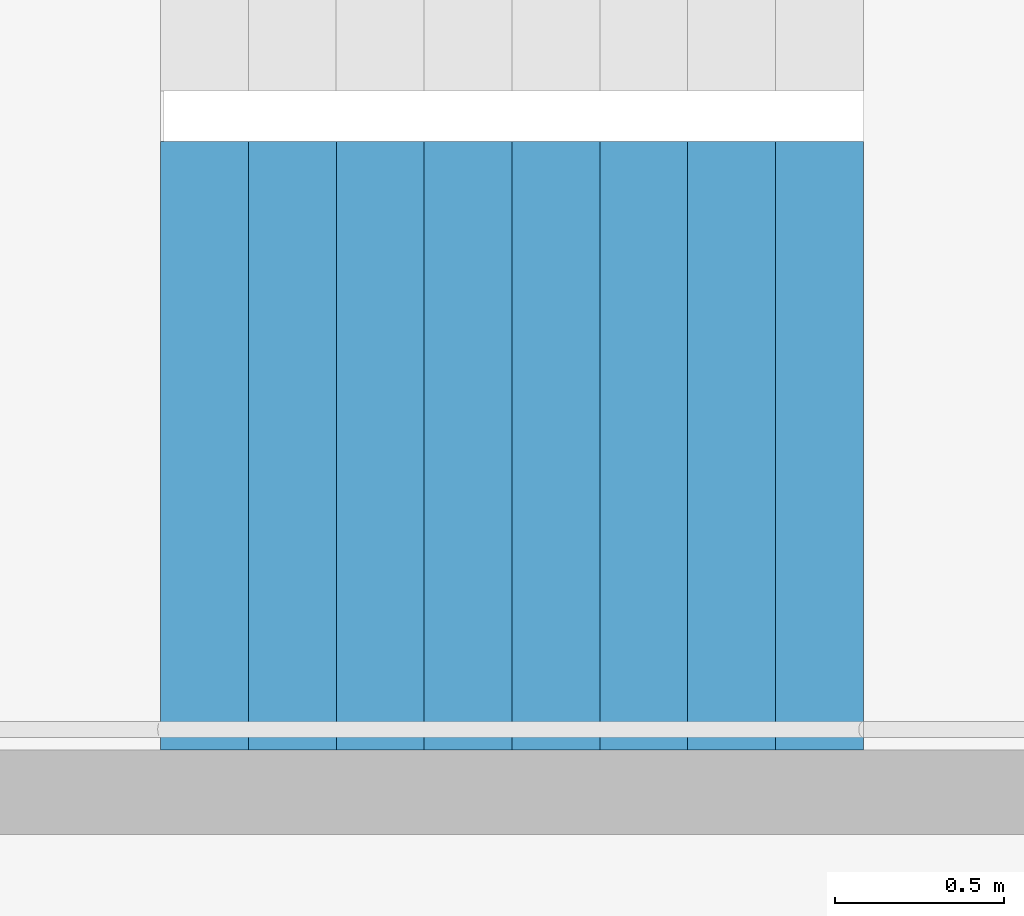
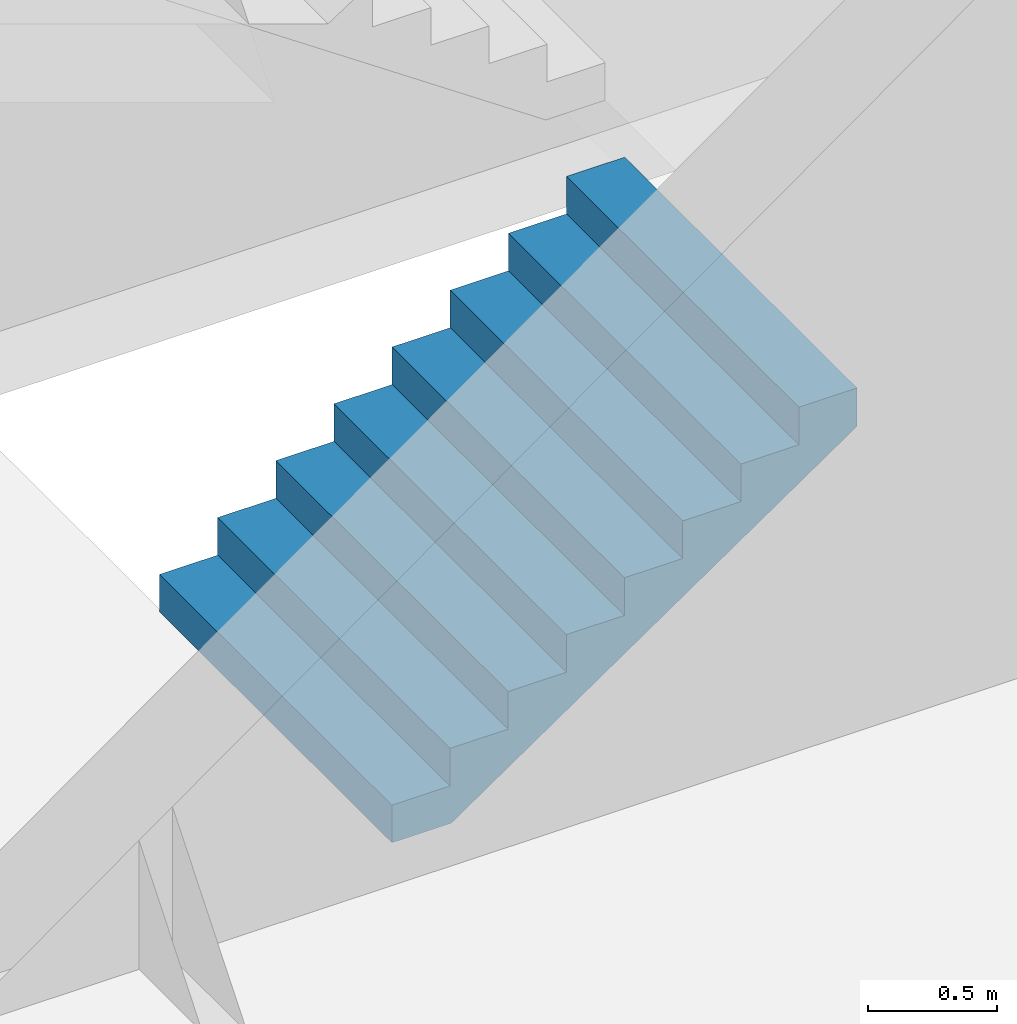
# One storey, part 20 of 42: 1 stair flight, 1 element without a shape of its own.
"""IFC4 building model written with IfcOpenShell, lengths in metres."""

from ifc_helpers import new_model, si_unit, direction, frame, origin, place, context, subcontext, project, spatial, triangles, material, type_object, element, aggregate, save


model = new_model("IFC4")

# Units and contexts
model_context = context("Model", 3, precision=1e-05, world=origin(), true_north=direction((0.0, 1.0)))
body_context = subcontext(model_context, "Body", "Model", "MODEL_VIEW")
ifc_project = project(units=[si_unit("LENGTHUNIT", "METRE"), si_unit("AREAUNIT", "SQUARE_METRE"), si_unit("VOLUMEUNIT", "CUBIC_METRE"), si_unit("PLANEANGLEUNIT", "RADIAN"), si_unit("MASSUNIT", "GRAM", prefix="KILO")], contexts=[model_context])

# Site, building, storey
site_placement = place(None, origin())
site = spatial("IfcSite", under=ifc_project, at=site_placement, CompositionType="ELEMENT")
building_placement = place(site_placement, origin())
building = spatial("IfcBuilding", under=site, at=building_placement, Name="Hakoniwa Tower and Hamabe Station Hall", CompositionType="ELEMENT")
storey_placement = place(building_placement, frame((0.0, 0.0, 232.60009765625)))
storey = spatial("IfcBuildingStorey", under=building, at=storey_placement, Name="L66", CompositionType="ELEMENT", Elevation=232.60009765625)

# Stair, stair flight
ifc_material_1 = material(Name="Concrete C40", Category="concrete")
stair_type = type_object("IfcStairType", Name="ESCAPE STAIR 1800", PredefinedType="HALF_TURN_STAIR", material=ifc_material_1)
stair_placement = place(storey_placement, origin())
stair = element("IfcStair", 1, at=stair_placement, inside=storey, type_object=stair_type, Name="Escape stair ST-1 L66", PredefinedType="HALF_TURN_STAIR")
ifc_material_2 = material(Name="Concrete C40", Category="concrete")
stair_flight_type = type_object("IfcStairFlightType", Name="STAIR FLIGHT 1800", PredefinedType="STRAIGHT", material=ifc_material_2)
stair_flight_placement = place(storey_placement, frame((-24.39990234375, 4.64990234375, 0.0), z_axis=(0.0, 0.0, 1.0), x_axis=(1.0, 0.0, 0.0)))
stair_flight = element("IfcStairFlight", 2, at=stair_flight_placement, type_object=stair_flight_type, Name="ST-1 flight 1", NumberOfRisers=9, NumberOfTreads=8, PredefinedType="STRAIGHT", RiserHeight=0.177777778, TreadLength=0.26, context=body_context, shape_type="Tessellation", body=[
    triangles([(0.0, 0.89990234375, 0.0), (0.260009765625, 0.89990234375, 0.0), (0.265625, 0.89990234375, 0.0), (0.52001953125, 0.89990234375, 0.174072265625), (0.780029296875, 0.89990234375, 0.351806640625), (1.0400390625, 0.89990234375, 0.529541015625), (1.300048828125, 0.89990234375, 0.707275390625), (1.56005859375, 0.89990234375, 0.885009765625), (1.820068359375, 0.89990234375, 1.062744140625), (2.080078125, 0.89990234375, 1.24072265625), (2.080078125, 0.89990234375, 1.422119140625), (1.820068359375, 0.89990234375, 1.422119140625), (1.820068359375, 0.89990234375, 1.244384765625), (1.56005859375, 0.89990234375, 1.244384765625), (1.56005859375, 0.89990234375, 1.066650390625), (1.300048828125, 0.89990234375, 1.066650390625), (1.300048828125, 0.89990234375, 0.888916015625), (1.0400390625, 0.89990234375, 0.888916015625), (1.0400390625, 0.89990234375, 0.711181640625), (0.780029296875, 0.89990234375, 0.711181640625), (0.780029296875, 0.89990234375, 0.533447265625), (0.52001953125, 0.89990234375, 0.533447265625), (0.52001953125, 0.89990234375, 0.35546875), (0.265625, 0.89990234375, 0.35546875), (0.260009765625, 0.89990234375, 0.35546875), (0.260009765625, 0.89990234375, 0.177734375), (0.0, 0.89990234375, 0.177734375), (0.0, 0.06005859375, 0.0), (0.260009765625, 0.06005859375, 0.0), (0.265625, 0.06005859375, 0.0), (0.52001953125, 0.06005859375, 0.174072265625), (0.780029296875, 0.06005859375, 0.351806640625), (1.0400390625, 0.06005859375, 0.529541015625), (1.300048828125, 0.06005859375, 0.707275390625), (1.56005859375, 0.06005859375, 0.885009765625), (1.820068359375, 0.06005859375, 1.062744140625), (2.080078125, 0.06005859375, 1.24072265625), (2.080078125, 0.06005859375, 1.422119140625), (1.820068359375, 0.06005859375, 1.422119140625), (1.820068359375, 0.06005859375, 1.244384765625), (1.56005859375, 0.06005859375, 1.244384765625), (1.56005859375, 0.06005859375, 1.066650390625), (1.300048828125, 0.06005859375, 1.066650390625), (1.300048828125, 0.06005859375, 0.888916015625), (1.0400390625, 0.06005859375, 0.888916015625), (1.0400390625, 0.06005859375, 0.711181640625), (0.780029296875, 0.06005859375, 0.711181640625), (0.780029296875, 0.06005859375, 0.533447265625), (0.52001953125, 0.06005859375, 0.533447265625), (0.52001953125, 0.06005859375, 0.35546875), (0.265625, 0.06005859375, 0.35546875), (0.260009765625, 0.06005859375, 0.35546875), (0.260009765625, 0.06005859375, 0.177734375), (0.0, 0.06005859375, 0.177734375), (0.0, 0.04296875, 0.0), (0.260009765625, 0.04296875, 0.0), (0.265625, 0.04296875, 0.0), (0.52001953125, 0.04296875, 0.174072265625), (0.780029296875, 0.04296875, 0.351806640625), (1.0400390625, 0.04296875, 0.529541015625), (1.300048828125, 0.04296875, 0.707275390625), (1.56005859375, 0.04296875, 0.885009765625), (1.820068359375, 0.04296875, 1.062744140625), (2.080078125, 0.04296875, 1.24072265625), (2.080078125, 0.04296875, 1.422119140625), (1.820068359375, 0.04296875, 1.422119140625), (1.820068359375, 0.04296875, 1.244384765625), (1.56005859375, 0.04296875, 1.244384765625), (1.56005859375, 0.04296875, 1.066650390625), (1.300048828125, 0.04296875, 1.066650390625), (1.300048828125, 0.04296875, 0.888916015625), (1.0400390625, 0.04296875, 0.888916015625), (1.0400390625, 0.04296875, 0.711181640625), (0.780029296875, 0.04296875, 0.711181640625), (0.780029296875, 0.04296875, 0.533447265625), (0.52001953125, 0.04296875, 0.533447265625), (0.52001953125, 0.04296875, 0.35546875), (0.265625, 0.04296875, 0.35546875), (0.260009765625, 0.04296875, 0.35546875), (0.260009765625, 0.04296875, 0.177734375), (0.0, 0.04296875, 0.177734375), (0.0, 0.025634765625, 0.0), (0.260009765625, 0.025634765625, 0.0), (0.265625, 0.025634765625, 0.0), (0.52001953125, 0.025634765625, 0.174072265625), (0.780029296875, 0.025634765625, 0.351806640625), (1.0400390625, 0.025634765625, 0.529541015625), (1.300048828125, 0.025634765625, 0.707275390625), (1.56005859375, 0.025634765625, 0.885009765625), (1.820068359375, 0.025634765625, 1.062744140625), (2.080078125, 0.025634765625, 1.24072265625), (2.080078125, 0.025634765625, 1.422119140625), (1.820068359375, 0.025634765625, 1.422119140625), (1.820068359375, 0.025634765625, 1.244384765625), (1.56005859375, 0.025634765625, 1.244384765625), (1.56005859375, 0.025634765625, 1.066650390625), (1.300048828125, 0.025634765625, 1.066650390625), (1.300048828125, 0.025634765625, 0.888916015625), (1.0400390625, 0.025634765625, 0.888916015625), (1.0400390625, 0.025634765625, 0.711181640625), (0.780029296875, 0.025634765625, 0.711181640625), (0.780029296875, 0.025634765625, 0.533447265625), (0.52001953125, 0.025634765625, 0.533447265625), (0.52001953125, 0.025634765625, 0.35546875), (0.265625, 0.025634765625, 0.35546875), (0.260009765625, 0.025634765625, 0.35546875), (0.260009765625, 0.025634765625, 0.177734375), (0.0, 0.025634765625, 0.177734375), (0.0, 0.008544921875, 0.0), (0.260009765625, 0.008544921875, 0.0), (0.265625, 0.008544921875, 0.0), (0.52001953125, 0.008544921875, 0.174072265625), (0.780029296875, 0.008544921875, 0.351806640625), (1.0400390625, 0.008544921875, 0.529541015625), (1.300048828125, 0.008544921875, 0.707275390625), (1.56005859375, 0.008544921875, 0.885009765625), (1.820068359375, 0.008544921875, 1.062744140625), (2.080078125, 0.008544921875, 1.24072265625), (2.080078125, 0.008544921875, 1.422119140625), (1.820068359375, 0.008544921875, 1.422119140625), (1.820068359375, 0.008544921875, 1.244384765625), (1.56005859375, 0.008544921875, 1.244384765625), (1.56005859375, 0.008544921875, 1.066650390625), (1.300048828125, 0.008544921875, 1.066650390625), (1.300048828125, 0.008544921875, 0.888916015625), (1.0400390625, 0.008544921875, 0.888916015625), (1.0400390625, 0.008544921875, 0.711181640625), (0.780029296875, 0.008544921875, 0.711181640625), (0.780029296875, 0.008544921875, 0.533447265625), (0.52001953125, 0.008544921875, 0.533447265625), (0.52001953125, 0.008544921875, 0.35546875), (0.265625, 0.008544921875, 0.35546875), (0.260009765625, 0.008544921875, 0.35546875), (0.260009765625, 0.008544921875, 0.177734375), (0.0, 0.008544921875, 0.177734375), (0.0, -0.008544921875, 0.0), (0.260009765625, -0.008544921875, 0.0), (0.265625, -0.008544921875, 0.0), (0.52001953125, -0.008544921875, 0.174072265625), (0.780029296875, -0.008544921875, 0.351806640625), (1.0400390625, -0.008544921875, 0.529541015625), (1.300048828125, -0.008544921875, 0.707275390625), (1.56005859375, -0.008544921875, 0.885009765625), (1.820068359375, -0.008544921875, 1.062744140625), (2.080078125, -0.008544921875, 1.24072265625), (2.080078125, -0.008544921875, 1.422119140625), (1.820068359375, -0.008544921875, 1.422119140625), (1.820068359375, -0.008544921875, 1.244384765625), (1.56005859375, -0.008544921875, 1.244384765625), (1.56005859375, -0.008544921875, 1.066650390625), (1.300048828125, -0.008544921875, 1.066650390625), (1.300048828125, -0.008544921875, 0.888916015625), (1.0400390625, -0.008544921875, 0.888916015625), (1.0400390625, -0.008544921875, 0.711181640625), (0.780029296875, -0.008544921875, 0.711181640625), (0.780029296875, -0.008544921875, 0.533447265625), (0.52001953125, -0.008544921875, 0.533447265625), (0.52001953125, -0.008544921875, 0.35546875), (0.265625, -0.008544921875, 0.35546875), (0.260009765625, -0.008544921875, 0.35546875), (0.260009765625, -0.008544921875, 0.177734375), (0.0, -0.008544921875, 0.177734375), (0.0, -0.025634765625, 0.0), (0.260009765625, -0.025634765625, 0.0), (0.265625, -0.025634765625, 0.0), (0.52001953125, -0.025634765625, 0.174072265625), (0.780029296875, -0.025634765625, 0.351806640625), (1.0400390625, -0.025634765625, 0.529541015625), (1.300048828125, -0.025634765625, 0.707275390625), (1.56005859375, -0.025634765625, 0.885009765625), (1.820068359375, -0.025634765625, 1.062744140625), (2.080078125, -0.025634765625, 1.24072265625), (2.080078125, -0.025634765625, 1.422119140625), (1.820068359375, -0.025634765625, 1.422119140625), (1.820068359375, -0.025634765625, 1.244384765625), (1.56005859375, -0.025634765625, 1.244384765625), (1.56005859375, -0.025634765625, 1.066650390625), (1.300048828125, -0.025634765625, 1.066650390625), (1.300048828125, -0.025634765625, 0.888916015625), (1.0400390625, -0.025634765625, 0.888916015625), (1.0400390625, -0.025634765625, 0.711181640625), (0.780029296875, -0.025634765625, 0.711181640625), (0.780029296875, -0.025634765625, 0.533447265625), (0.52001953125, -0.025634765625, 0.533447265625), (0.52001953125, -0.025634765625, 0.35546875), (0.265625, -0.025634765625, 0.35546875), (0.260009765625, -0.025634765625, 0.35546875), (0.260009765625, -0.025634765625, 0.177734375), (0.0, -0.025634765625, 0.177734375), (0.0, -0.04296875, 0.0), (0.260009765625, -0.04296875, 0.0), (0.265625, -0.04296875, 0.0), (0.52001953125, -0.04296875, 0.174072265625), (0.780029296875, -0.04296875, 0.351806640625), (1.0400390625, -0.04296875, 0.529541015625), (1.300048828125, -0.04296875, 0.707275390625), (1.56005859375, -0.04296875, 0.885009765625), (1.820068359375, -0.04296875, 1.062744140625), (2.080078125, -0.04296875, 1.24072265625), (2.080078125, -0.04296875, 1.422119140625), (1.820068359375, -0.04296875, 1.422119140625), (1.820068359375, -0.04296875, 1.244384765625), (1.56005859375, -0.04296875, 1.244384765625), (1.56005859375, -0.04296875, 1.066650390625), (1.300048828125, -0.04296875, 1.066650390625), (1.300048828125, -0.04296875, 0.888916015625), (1.0400390625, -0.04296875, 0.888916015625), (1.0400390625, -0.04296875, 0.711181640625), (0.780029296875, -0.04296875, 0.711181640625), (0.780029296875, -0.04296875, 0.533447265625), (0.52001953125, -0.04296875, 0.533447265625), (0.52001953125, -0.04296875, 0.35546875), (0.265625, -0.04296875, 0.35546875), (0.260009765625, -0.04296875, 0.35546875), (0.260009765625, -0.04296875, 0.177734375), (0.0, -0.04296875, 0.177734375), (0.0, -0.06005859375, 0.0), (0.260009765625, -0.06005859375, 0.0), (0.265625, -0.06005859375, 0.0), (0.52001953125, -0.06005859375, 0.174072265625), (0.780029296875, -0.06005859375, 0.351806640625), (1.0400390625, -0.06005859375, 0.529541015625), (1.300048828125, -0.06005859375, 0.707275390625), (1.56005859375, -0.06005859375, 0.885009765625), (1.820068359375, -0.06005859375, 1.062744140625), (2.080078125, -0.06005859375, 1.24072265625), (2.080078125, -0.06005859375, 1.422119140625), (1.820068359375, -0.06005859375, 1.422119140625), (1.820068359375, -0.06005859375, 1.244384765625), (1.56005859375, -0.06005859375, 1.244384765625), (1.56005859375, -0.06005859375, 1.066650390625), (1.300048828125, -0.06005859375, 1.066650390625), (1.300048828125, -0.06005859375, 0.888916015625), (1.0400390625, -0.06005859375, 0.888916015625), (1.0400390625, -0.06005859375, 0.711181640625), (0.780029296875, -0.06005859375, 0.711181640625), (0.780029296875, -0.06005859375, 0.533447265625), (0.52001953125, -0.06005859375, 0.533447265625), (0.52001953125, -0.06005859375, 0.35546875), (0.265625, -0.06005859375, 0.35546875), (0.260009765625, -0.06005859375, 0.35546875), (0.260009765625, -0.06005859375, 0.177734375), (0.0, -0.06005859375, 0.177734375), (0.0, -0.89990234375, 0.0), (0.260009765625, -0.89990234375, 0.0), (0.265625, -0.89990234375, 0.0), (0.52001953125, -0.89990234375, 0.174072265625), (0.780029296875, -0.89990234375, 0.351806640625), (1.0400390625, -0.89990234375, 0.529541015625), (1.300048828125, -0.89990234375, 0.707275390625), (1.56005859375, -0.89990234375, 0.885009765625), (1.820068359375, -0.89990234375, 1.062744140625), (2.080078125, -0.89990234375, 1.24072265625), (2.080078125, -0.89990234375, 1.422119140625), (1.820068359375, -0.89990234375, 1.422119140625), (1.820068359375, -0.89990234375, 1.244384765625), (1.56005859375, -0.89990234375, 1.244384765625), (1.56005859375, -0.89990234375, 1.066650390625), (1.300048828125, -0.89990234375, 1.066650390625), (1.300048828125, -0.89990234375, 0.888916015625), (1.0400390625, -0.89990234375, 0.888916015625), (1.0400390625, -0.89990234375, 0.711181640625), (0.780029296875, -0.89990234375, 0.711181640625), (0.780029296875, -0.89990234375, 0.533447265625), (0.52001953125, -0.89990234375, 0.533447265625), (0.52001953125, -0.89990234375, 0.35546875), (0.265625, -0.89990234375, 0.35546875), (0.260009765625, -0.89990234375, 0.35546875), (0.260009765625, -0.89990234375, 0.177734375), (0.0, -0.89990234375, 0.177734375)], [[2, 27, 26], [245, 269, 270], [2, 1, 27], [245, 270, 244], [3, 25, 24], [246, 267, 268], [3, 26, 25], [246, 268, 269], [3, 2, 26], [246, 269, 245], [4, 24, 23], [247, 266, 267], [4, 3, 24], [247, 267, 246], [5, 22, 21], [248, 264, 265], [5, 23, 22], [248, 265, 266], [5, 4, 23], [248, 266, 247], [6, 20, 19], [249, 262, 263], [6, 21, 20], [249, 263, 264], [6, 5, 21], [249, 264, 248], [7, 18, 17], [250, 260, 261], [7, 19, 18], [250, 261, 262], [7, 6, 19], [250, 262, 249], [8, 16, 15], [251, 258, 259], [8, 17, 16], [251, 259, 260], [8, 7, 17], [251, 260, 250], [9, 14, 13], [252, 256, 257], [9, 15, 14], [252, 257, 258], [9, 8, 15], [252, 258, 251], [10, 12, 11], [253, 254, 255], [10, 13, 12], [253, 255, 256], [10, 9, 13], [253, 256, 252], [1, 2, 29], [1, 29, 28], [28, 29, 56], [28, 56, 55], [55, 56, 83], [55, 83, 82], [82, 83, 110], [82, 110, 109], [109, 110, 137], [109, 137, 136], [136, 137, 164], [136, 164, 163], [163, 164, 191], [163, 191, 190], [190, 191, 218], [190, 218, 217], [217, 218, 245], [217, 245, 244], [2, 3, 30], [2, 30, 29], [29, 30, 57], [29, 57, 56], [56, 57, 84], [56, 84, 83], [83, 84, 111], [83, 111, 110], [110, 111, 138], [110, 138, 137], [137, 138, 165], [137, 165, 164], [164, 165, 192], [164, 192, 191], [191, 192, 219], [191, 219, 218], [218, 219, 246], [218, 246, 245], [3, 4, 31], [3, 31, 30], [30, 31, 58], [30, 58, 57], [57, 58, 85], [57, 85, 84], [84, 85, 112], [84, 112, 111], [111, 112, 139], [111, 139, 138], [138, 139, 166], [138, 166, 165], [165, 166, 193], [165, 193, 192], [192, 193, 220], [192, 220, 219], [219, 220, 247], [219, 247, 246], [4, 5, 32], [4, 32, 31], [31, 32, 59], [31, 59, 58], [58, 59, 86], [58, 86, 85], [85, 86, 113], [85, 113, 112], [112, 113, 140], [112, 140, 139], [139, 140, 167], [139, 167, 166], [166, 167, 194], [166, 194, 193], [193, 194, 221], [193, 221, 220], [220, 221, 248], [220, 248, 247], [5, 6, 33], [5, 33, 32], [32, 33, 60], [32, 60, 59], [59, 60, 87], [59, 87, 86], [86, 87, 114], [86, 114, 113], [113, 114, 141], [113, 141, 140], [140, 141, 168], [140, 168, 167], [167, 168, 195], [167, 195, 194], [194, 195, 222], [194, 222, 221], [221, 222, 249], [221, 249, 248], [6, 7, 34], [6, 34, 33], [33, 34, 61], [33, 61, 60], [60, 61, 88], [60, 88, 87], [87, 88, 115], [87, 115, 114], [114, 115, 142], [114, 142, 141], [141, 142, 169], [141, 169, 168], [168, 169, 196], [168, 196, 195], [195, 196, 223], [195, 223, 222], [222, 223, 250], [222, 250, 249], [7, 8, 35], [7, 35, 34], [34, 35, 62], [34, 62, 61], [61, 62, 89], [61, 89, 88], [88, 89, 116], [88, 116, 115], [115, 116, 143], [115, 143, 142], [142, 143, 170], [142, 170, 169], [169, 170, 197], [169, 197, 196], [196, 197, 224], [196, 224, 223], [223, 224, 251], [223, 251, 250], [8, 9, 36], [8, 36, 35], [35, 36, 63], [35, 63, 62], [62, 63, 90], [62, 90, 89], [89, 90, 117], [89, 117, 116], [116, 117, 144], [116, 144, 143], [143, 144, 171], [143, 171, 170], [170, 171, 198], [170, 198, 197], [197, 198, 225], [197, 225, 224], [224, 225, 252], [224, 252, 251], [9, 10, 37], [9, 37, 36], [36, 37, 64], [36, 64, 63], [63, 64, 91], [63, 91, 90], [90, 91, 118], [90, 118, 117], [117, 118, 145], [117, 145, 144], [144, 145, 172], [144, 172, 171], [171, 172, 199], [171, 199, 198], [198, 199, 226], [198, 226, 225], [225, 226, 253], [225, 253, 252], [10, 11, 38], [10, 38, 37], [37, 38, 65], [37, 65, 64], [64, 65, 92], [64, 92, 91], [91, 92, 119], [91, 119, 118], [118, 119, 146], [118, 146, 145], [145, 146, 173], [145, 173, 172], [172, 173, 200], [172, 200, 199], [199, 200, 227], [199, 227, 226], [226, 227, 254], [226, 254, 253], [11, 12, 39], [11, 39, 38], [38, 39, 66], [38, 66, 65], [65, 66, 93], [65, 93, 92], [92, 93, 120], [92, 120, 119], [119, 120, 147], [119, 147, 146], [146, 147, 174], [146, 174, 173], [173, 174, 201], [173, 201, 200], [200, 201, 228], [200, 228, 227], [227, 228, 255], [227, 255, 254], [12, 13, 40], [12, 40, 39], [39, 40, 67], [39, 67, 66], [66, 67, 94], [66, 94, 93], [93, 94, 121], [93, 121, 120], [120, 121, 148], [120, 148, 147], [147, 148, 175], [147, 175, 174], [174, 175, 202], [174, 202, 201], [201, 202, 229], [201, 229, 228], [228, 229, 256], [228, 256, 255], [13, 14, 41], [13, 41, 40], [40, 41, 68], [40, 68, 67], [67, 68, 95], [67, 95, 94], [94, 95, 122], [94, 122, 121], [121, 122, 149], [121, 149, 148], [148, 149, 176], [148, 176, 175], [175, 176, 203], [175, 203, 202], [202, 203, 230], [202, 230, 229], [229, 230, 257], [229, 257, 256], [14, 15, 42], [14, 42, 41], [41, 42, 69], [41, 69, 68], [68, 69, 96], [68, 96, 95], [95, 96, 123], [95, 123, 122], [122, 123, 150], [122, 150, 149], [149, 150, 177], [149, 177, 176], [176, 177, 204], [176, 204, 203], [203, 204, 231], [203, 231, 230], [230, 231, 258], [230, 258, 257], [15, 16, 43], [15, 43, 42], [42, 43, 70], [42, 70, 69], [69, 70, 97], [69, 97, 96], [96, 97, 124], [96, 124, 123], [123, 124, 151], [123, 151, 150], [150, 151, 178], [150, 178, 177], [177, 178, 205], [177, 205, 204], [204, 205, 232], [204, 232, 231], [231, 232, 259], [231, 259, 258], [16, 17, 44], [16, 44, 43], [43, 44, 71], [43, 71, 70], [70, 71, 98], [70, 98, 97], [97, 98, 125], [97, 125, 124], [124, 125, 152], [124, 152, 151], [151, 152, 179], [151, 179, 178], [178, 179, 206], [178, 206, 205], [205, 206, 233], [205, 233, 232], [232, 233, 260], [232, 260, 259], [17, 18, 45], [17, 45, 44], [44, 45, 72], [44, 72, 71], [71, 72, 99], [71, 99, 98], [98, 99, 126], [98, 126, 125], [125, 126, 153], [125, 153, 152], [152, 153, 180], [152, 180, 179], [179, 180, 207], [179, 207, 206], [206, 207, 234], [206, 234, 233], [233, 234, 261], [233, 261, 260], [18, 19, 46], [18, 46, 45], [45, 46, 73], [45, 73, 72], [72, 73, 100], [72, 100, 99], [99, 100, 127], [99, 127, 126], [126, 127, 154], [126, 154, 153], [153, 154, 181], [153, 181, 180], [180, 181, 208], [180, 208, 207], [207, 208, 235], [207, 235, 234], [234, 235, 262], [234, 262, 261], [19, 20, 47], [19, 47, 46], [46, 47, 74], [46, 74, 73], [73, 74, 101], [73, 101, 100], [100, 101, 128], [100, 128, 127], [127, 128, 155], [127, 155, 154], [154, 155, 182], [154, 182, 181], [181, 182, 209], [181, 209, 208], [208, 209, 236], [208, 236, 235], [235, 236, 263], [235, 263, 262], [20, 21, 48], [20, 48, 47], [47, 48, 75], [47, 75, 74], [74, 75, 102], [74, 102, 101], [101, 102, 129], [101, 129, 128], [128, 129, 156], [128, 156, 155], [155, 156, 183], [155, 183, 182], [182, 183, 210], [182, 210, 209], [209, 210, 237], [209, 237, 236], [236, 237, 264], [236, 264, 263], [21, 22, 49], [21, 49, 48], [48, 49, 76], [48, 76, 75], [75, 76, 103], [75, 103, 102], [102, 103, 130], [102, 130, 129], [129, 130, 157], [129, 157, 156], [156, 157, 184], [156, 184, 183], [183, 184, 211], [183, 211, 210], [210, 211, 238], [210, 238, 237], [237, 238, 265], [237, 265, 264], [22, 23, 50], [22, 50, 49], [49, 50, 77], [49, 77, 76], [76, 77, 104], [76, 104, 103], [103, 104, 131], [103, 131, 130], [130, 131, 158], [130, 158, 157], [157, 158, 185], [157, 185, 184], [184, 185, 212], [184, 212, 211], [211, 212, 239], [211, 239, 238], [238, 239, 266], [238, 266, 265], [23, 24, 51], [23, 51, 50], [50, 51, 78], [50, 78, 77], [77, 78, 105], [77, 105, 104], [104, 105, 132], [104, 132, 131], [131, 132, 159], [131, 159, 158], [158, 159, 186], [158, 186, 185], [185, 186, 213], [185, 213, 212], [212, 213, 240], [212, 240, 239], [239, 240, 267], [239, 267, 266], [24, 25, 52], [24, 52, 51], [51, 52, 79], [51, 79, 78], [78, 79, 106], [78, 106, 105], [105, 106, 133], [105, 133, 132], [132, 133, 160], [132, 160, 159], [159, 160, 187], [159, 187, 186], [186, 187, 214], [186, 214, 213], [213, 214, 241], [213, 241, 240], [240, 241, 268], [240, 268, 267], [25, 26, 53], [25, 53, 52], [52, 53, 80], [52, 80, 79], [79, 80, 107], [79, 107, 106], [106, 107, 134], [106, 134, 133], [133, 134, 161], [133, 161, 160], [160, 161, 188], [160, 188, 187], [187, 188, 215], [187, 215, 214], [214, 215, 242], [214, 242, 241], [241, 242, 269], [241, 269, 268], [26, 27, 54], [26, 54, 53], [53, 54, 81], [53, 81, 80], [80, 81, 108], [80, 108, 107], [107, 108, 135], [107, 135, 134], [134, 135, 162], [134, 162, 161], [161, 162, 189], [161, 189, 188], [188, 189, 216], [188, 216, 215], [215, 216, 243], [215, 243, 242], [242, 243, 270], [242, 270, 269], [27, 1, 28], [27, 28, 54], [54, 28, 55], [54, 55, 81], [81, 55, 82], [81, 82, 108], [108, 82, 109], [108, 109, 135], [135, 109, 136], [135, 136, 162], [162, 136, 163], [162, 163, 189], [189, 163, 190], [189, 190, 216], [216, 190, 217], [216, 217, 243], [243, 217, 244], [243, 244, 270]], closed=True),
])
aggregate(stair, [stair_flight])

save(model, "model.ifc")
